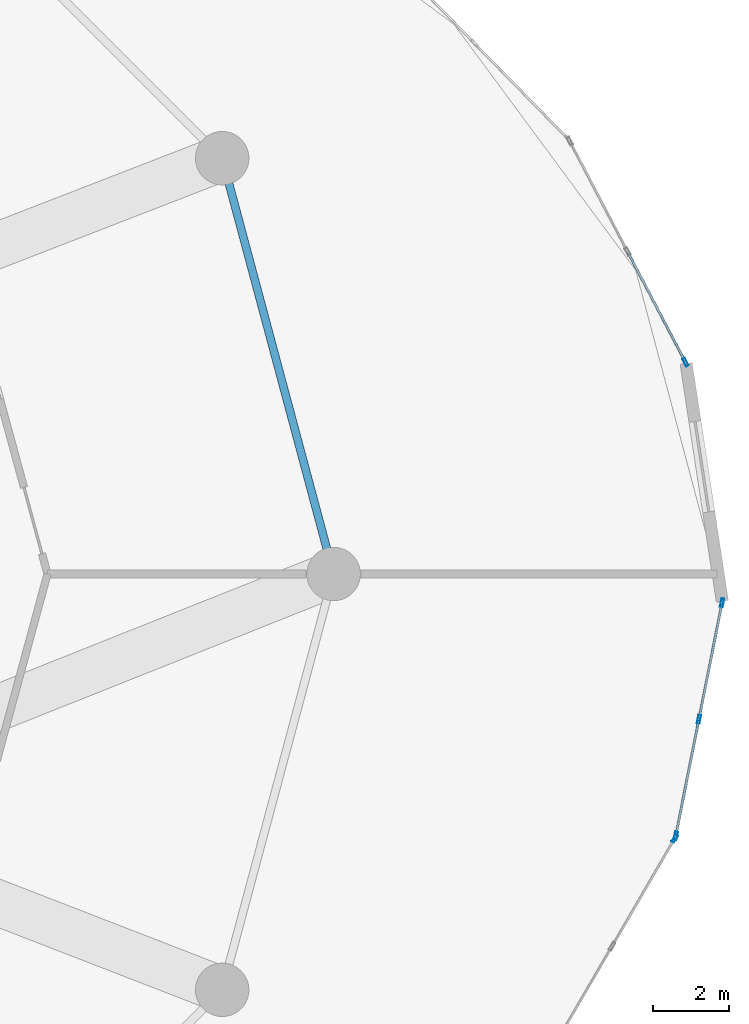
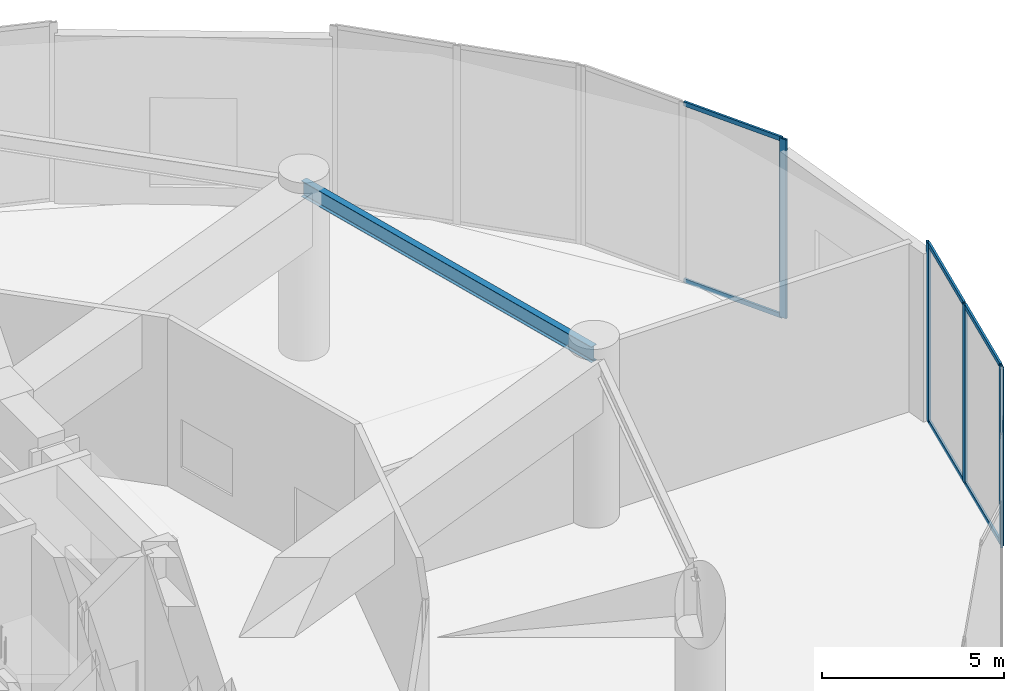
# One storey, part 13 of 28: 11 members, 1 beam, 3 elements without a shape of their own.
"""IFC4 building model written with IfcOpenShell, lengths in metres."""

from ifc_helpers import new_model, si_unit, direction, frame, origin, origin_2d, place, context, subcontext, project, spatial, hollow_rectangle, i_section, extrude, source, transform, mapped, material, layer, layer_set, material_profile, profile_set, type_object, element, aggregate, save


model = new_model("IFC4")

# Units and contexts
model_context = context("Model", 3, precision=1e-05, world=origin(), true_north=direction((0.0, 1.0)))
body_context = subcontext(model_context, "Body", "Model", "MODEL_VIEW")
ifc_project = project(units=[si_unit("LENGTHUNIT", "METRE"), si_unit("AREAUNIT", "SQUARE_METRE"), si_unit("VOLUMEUNIT", "CUBIC_METRE"), si_unit("PLANEANGLEUNIT", "RADIAN"), si_unit("MASSUNIT", "GRAM", prefix="KILO")], contexts=[model_context])

# Site, building, storey
site_placement = place(None, origin())
site = spatial("IfcSite", under=ifc_project, at=site_placement, CompositionType="ELEMENT")
building_placement = place(site_placement, origin())
building = spatial("IfcBuilding", under=site, at=building_placement, Name="Solvirekh Grand Hotel", CompositionType="ELEMENT")
storey_placement = place(building_placement, frame((0.0, 0.0, 12.60009765625)))
storey = spatial("IfcBuildingStorey", under=building, at=storey_placement, Name="L02", CompositionType="ELEMENT", Elevation=12.60009765625)

# Beam
ifc_material_1 = material(Name="Steel S355", Category="steel")
ifc_material_profile_1 = material_profile(ifc_material_1, i_section(OverallWidth=0.208984375, OverallDepth=0.532958984375, WebThickness=0.010009765625, FlangeThickness=0.014892578125, FilletRadius=0.013916015625, at=origin_2d()), Name="W530X92")
ifc_profile_set_1 = profile_set([ifc_material_profile_1], Name="Steel S355")
beam_type = type_object("IfcBeamType", Name="Spandrel_Ring_W530", PredefinedType="SPANDREL", material=ifc_profile_set_1)
beam_placement = place(storey_placement, frame((21.800048828125, 0.0, 5.372802734375), z_axis=(-0.258862249378, 0.965914248703, 0.0), x_axis=(-0.965914248703, -0.258862249378, 0.0)))
element("IfcBeam", 1, at=beam_placement, inside=storey, type_object=beam_type, Name="L02 perimeter spandrel beam 1", PredefinedType="SPANDREL", context=body_context, shape_type="SweptSolid", body=[
    extrude(i_section(OverallWidth=0.208984375, OverallDepth=0.532958984375, WebThickness=0.010009765625, FlangeThickness=0.014892578125, FilletRadius=0.013916015625, at=origin_2d()), origin(), (0.0, 0.0, 1.0), 11.284423828125),
])

# Curtain wall, members
ifc_material_2 = material(Name="Anodized Bronze Aluminium 6063-T6", Category="aluminium")
ifc_layer = layer(ifc_material_2, 0.219970703125)
ifc_layer_set = layer_set([ifc_layer], Name="Anodized Bronze Aluminium 6063-T6")
curtain_wall_type = type_object("IfcCurtainWallType", Name="CW_Sys1_PodiumBronzeUnitised", PredefinedType="NOTDEFINED", material=ifc_layer_set)
curtain_wall_1_placement = place(storey_placement, origin())
curtain_wall_1 = element("IfcCurtainWall", 2, at=curtain_wall_1_placement, inside=storey, type_object=curtain_wall_type, Name="L02 unitised bronze-glass curtain wall CW-L02-C02", PredefinedType="NOTDEFINED")
ifc_material_profile_2 = material_profile(ifc_material_2, hollow_rectangle(XDim=0.06494140625, YDim=0.14990234375, WallThickness=0.0048828125, at=origin_2d()), Name="ALU RHS 150X65X5")
ifc_profile_set_2 = profile_set([ifc_material_profile_2], Name="Anodized Bronze Aluminium 6063-T6")
member_type_1 = type_object("IfcMemberType", Name="CWTransom_Sys1", PredefinedType="USERDEFINED", material=ifc_profile_set_2)
shared_shape_1 = source(origin(), body_context, "Body", "SweptSolid", [
    extrude(hollow_rectangle(XDim=0.06494140625, YDim=0.14990234375, WallThickness=0.0048828125, at=origin_2d()), origin(), (0.0, 0.0, 1.0), 3.193603515625),
])
member_1_placement = place(storey_placement, frame((31.006103515625, 5.58642578125, 0.032470703125), z_axis=(-0.463801310978, 0.88593924393, 0.0), x_axis=(-0.88593924393, -0.463801310978, 0.0)))
member_1 = element("IfcMember", 3, at=member_1_placement, type_object=member_type_1, Name="U01 transom 1.1", ObjectType="TRANSOM", PredefinedType="USERDEFINED", context=body_context, shape_type="MappedRepresentation", body=[
    mapped(shared_shape_1, transform((0.0, 0.0, 0.0), x_axis=(1.0, 0.0, 0.0), y_axis=(0.0, 1.0, 0.0), z_axis=(0.0, 0.0, 1.0), scale=1.0)),
])
member_2_placement = place(storey_placement, frame((31.006103515625, 5.58642578125, 5.96728515625), z_axis=(-0.463801310978, 0.88593924393, 0.0), x_axis=(-0.88593924393, -0.463801310978, 0.0)))
member_2 = element("IfcMember", 4, at=member_2_placement, type_object=member_type_1, Name="U01 transom 1.2", ObjectType="TRANSOM", PredefinedType="USERDEFINED", context=body_context, shape_type="MappedRepresentation", body=[
    mapped(shared_shape_1, transform((0.0, 0.0, 0.0), x_axis=(1.0, 0.0, 0.0), y_axis=(0.0, 1.0, 0.0), z_axis=(0.0, 0.0, 1.0), scale=1.0)),
])

curtain_wall_2_placement = place(storey_placement, origin())
curtain_wall_2 = element("IfcCurtainWall", 5, at=curtain_wall_2_placement, inside=storey, type_object=curtain_wall_type, Name="L02 unitised bronze-glass curtain wall CW-L02-C24", PredefinedType="NOTDEFINED")
shared_shape_2 = source(origin(), body_context, "Body", "SweptSolid", [
    extrude(hollow_rectangle(XDim=0.06494140625, YDim=0.14990234375, WallThickness=0.0048828125, at=origin_2d()), origin(), (0.0, 0.0, 1.0), 3.041015625),
])
member_3_placement = place(storey_placement, frame((30.777587890625, -6.827392578125, 0.032470703125), z_axis=(0.194849950326, 0.980833062686, 0.0), x_axis=(-0.980833062686, 0.194849950326, 0.0)))
member_3 = element("IfcMember", 6, at=member_3_placement, type_object=member_type_1, Name="U01 transom 1.1", ObjectType="TRANSOM", PredefinedType="USERDEFINED", context=body_context, shape_type="MappedRepresentation", body=[
    mapped(shared_shape_2, transform((0.0, 0.0, 0.0), x_axis=(1.0, 0.0, 0.0), y_axis=(0.0, 1.0, 0.0), z_axis=(0.0, 0.0, 1.0), scale=1.0)),
])
member_4_placement = place(storey_placement, frame((30.777587890625, -6.827392578125, 5.96728515625), z_axis=(0.194849950326, 0.980833062686, 0.0), x_axis=(-0.980833062686, 0.194849950326, 0.0)))
member_4 = element("IfcMember", 7, at=member_4_placement, type_object=member_type_1, Name="U01 transom 1.2", ObjectType="TRANSOM", PredefinedType="USERDEFINED", context=body_context, shape_type="MappedRepresentation", body=[
    mapped(shared_shape_2, transform((0.0, 0.0, 0.0), x_axis=(1.0, 0.0, 0.0), y_axis=(0.0, 1.0, 0.0), z_axis=(0.0, 0.0, 1.0), scale=1.0)),
])
member_5_placement = place(storey_placement, frame((31.384765625, -3.771240234375, 0.032470703125), z_axis=(0.194849950326, 0.980833062686, 0.0), x_axis=(-0.980833062686, 0.194849950326, 0.0)))
member_5 = element("IfcMember", 8, at=member_5_placement, type_object=member_type_1, Name="U01 transom 2.1", ObjectType="TRANSOM", PredefinedType="USERDEFINED", context=body_context, shape_type="MappedRepresentation", body=[
    mapped(shared_shape_2, transform((0.0, 0.0, 0.0), x_axis=(1.0, 0.0, 0.0), y_axis=(0.0, 1.0, 0.0), z_axis=(0.0, 0.0, 1.0), scale=1.0)),
])
member_6_placement = place(storey_placement, frame((31.384765625, -3.771240234375, 5.96728515625), z_axis=(0.194849950326, 0.980833062686, 0.0), x_axis=(-0.980833062686, 0.194849950326, 0.0)))
member_6 = element("IfcMember", 9, at=member_6_placement, type_object=member_type_1, Name="U01 transom 2.2", ObjectType="TRANSOM", PredefinedType="USERDEFINED", context=body_context, shape_type="MappedRepresentation", body=[
    mapped(shared_shape_2, transform((0.0, 0.0, 0.0), x_axis=(1.0, 0.0, 0.0), y_axis=(0.0, 1.0, 0.0), z_axis=(0.0, 0.0, 1.0), scale=1.0)),
])

# Member
ifc_material_profile_3 = material_profile(ifc_material_2, hollow_rectangle(XDim=0.074951171875, YDim=0.219970703125, WallThickness=0.006103515625, at=origin_2d()), Name="ALU RHS 220X75X6")
ifc_profile_set_3 = profile_set([ifc_material_profile_3], Name="Anodized Bronze Aluminium 6063-T6")
member_type_2 = type_object("IfcMemberType", Name="CWMullion_Sys1", PredefinedType="MULLION", material=ifc_profile_set_3)
shared_shape_3 = source(origin(), body_context, "Body", "SweptSolid", [
    extrude(hollow_rectangle(XDim=0.074951171875, YDim=0.219970703125, WallThickness=0.006103515625, at=origin_2d()), origin(), (0.0, 0.0, 1.0), 6.0),
])
member_7_placement = place(storey_placement, frame((31.023681640625, 5.55322265625, 0.0), z_axis=(0.0, 0.0, 1.0), x_axis=(-0.885923280364, -0.463831802821, 0.0)))
member_7 = element("IfcMember", 10, at=member_7_placement, type_object=member_type_2, Name="U01 mullion 1", PredefinedType="MULLION", context=body_context, shape_type="MappedRepresentation", body=[
    mapped(shared_shape_3, transform((0.0, 0.0, 0.0), x_axis=(1.0, 0.0, 0.0), y_axis=(0.0, 1.0, 0.0), z_axis=(0.0, 0.0, 1.0), scale=1.0)),
])

aggregate(curtain_wall_1, [member_7, member_1, member_2])

# Curtain wall, member
curtain_wall_3_placement = place(storey_placement, origin())
curtain_wall_3 = element("IfcCurtainWall", 11, at=curtain_wall_3_placement, inside=storey, type_object=curtain_wall_type, Name="L02 unitised bronze-glass curtain wall CW-L02-C23", PredefinedType="NOTDEFINED")
member_8_placement = place(storey_placement, frame((30.744140625, -6.933349609375, 0.0), z_axis=(0.0, 0.0, 1.0), x_axis=(-0.864354314158, 0.502883306143, 0.0)))
member_8 = element("IfcMember", 12, at=member_8_placement, type_object=member_type_2, Name="U01 mullion 3", PredefinedType="MULLION", context=body_context, shape_type="MappedRepresentation", body=[
    mapped(shared_shape_3, transform((0.0, 0.0, 0.0), x_axis=(1.0, 0.0, 0.0), y_axis=(0.0, 1.0, 0.0), z_axis=(0.0, 0.0, 1.0), scale=1.0)),
])
aggregate(curtain_wall_3, [member_8])

# Member
member_9_placement = place(storey_placement, frame((30.770263671875, -6.8642578125, 0.0), z_axis=(0.0, 0.0, 1.0), x_axis=(-0.98082991002, 0.194865819503, 0.0)))
member_9 = element("IfcMember", 13, at=member_9_placement, type_object=member_type_2, Name="U01 mullion 1", PredefinedType="MULLION", context=body_context, shape_type="MappedRepresentation", body=[
    mapped(shared_shape_3, transform((0.0, 0.0, 0.0), x_axis=(1.0, 0.0, 0.0), y_axis=(0.0, 1.0, 0.0), z_axis=(0.0, 0.0, 1.0), scale=1.0)),
])

member_10_placement = place(storey_placement, frame((31.37744140625, -3.80810546875, 0.0), z_axis=(0.0, 0.0, 1.0), x_axis=(-0.98082991002, 0.194865819503, 0.0)))
member_10 = element("IfcMember", 14, at=member_10_placement, type_object=member_type_2, Name="U01 mullion 2", PredefinedType="MULLION", context=body_context, shape_type="MappedRepresentation", body=[
    mapped(shared_shape_3, transform((0.0, 0.0, 0.0), x_axis=(1.0, 0.0, 0.0), y_axis=(0.0, 1.0, 0.0), z_axis=(0.0, 0.0, 1.0), scale=1.0)),
])

member_11_placement = place(storey_placement, frame((31.984619140625, -0.751708984375, 0.0), z_axis=(0.0, 0.0, 1.0), x_axis=(-0.98082991002, 0.194865819503, 0.0)))
member_11 = element("IfcMember", 15, at=member_11_placement, type_object=member_type_2, Name="U01 mullion 3", PredefinedType="MULLION", context=body_context, shape_type="MappedRepresentation", body=[
    mapped(shared_shape_3, transform((0.0, 0.0, 0.0), x_axis=(1.0, 0.0, 0.0), y_axis=(0.0, 1.0, 0.0), z_axis=(0.0, 0.0, 1.0), scale=1.0)),
])

aggregate(curtain_wall_2, [member_9, member_10, member_11, member_3, member_4, member_5, member_6])

save(model, "model.ifc")
